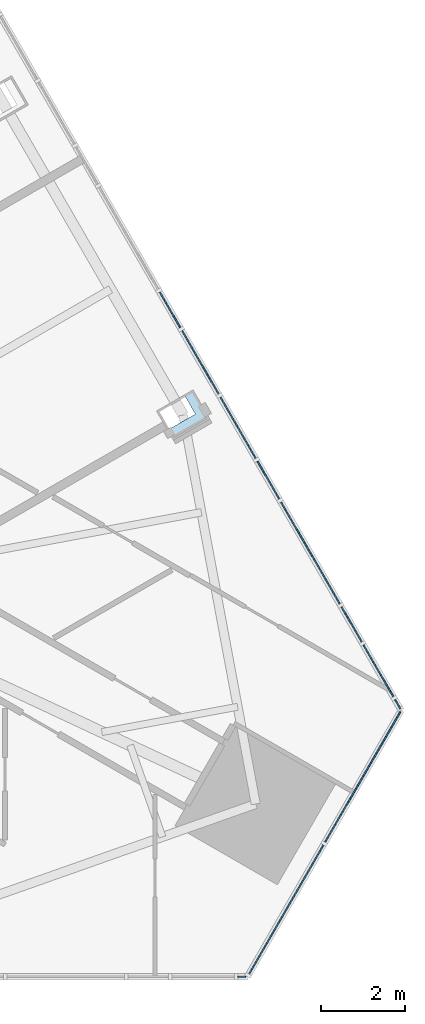
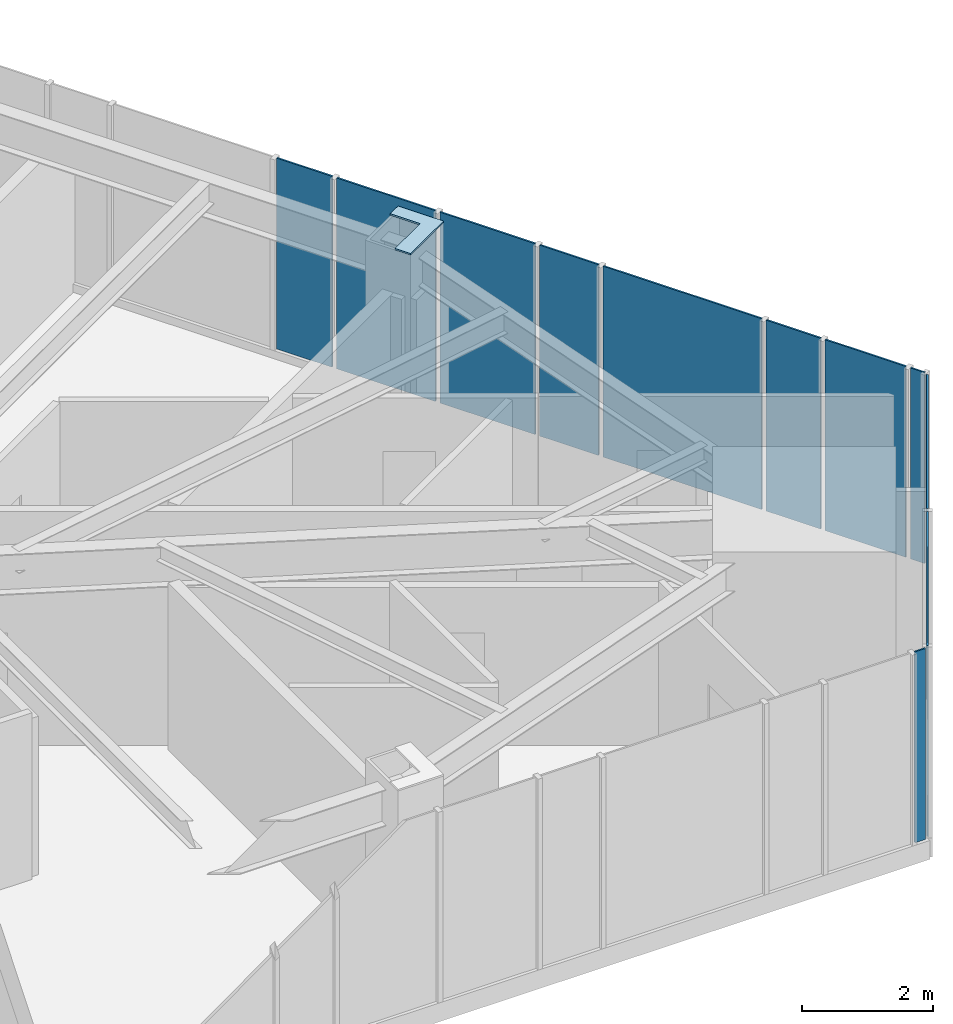
# One storey, part 15 of 24: 12 plates, 3 elements without a shape of their own.
"""IFC4 building model written with IfcOpenShell, lengths in metres."""

from ifc_helpers import new_model, si_unit, direction, frame, origin, place, context, subcontext, project, spatial, polyline, outline, extrude, material, layer, layer_set, type_object, element, aggregate, save


model = new_model("IFC4")

# Units and contexts
model_context = context("Model", 3, precision=1e-05, world=origin(), true_north=direction((0.0, 1.0)))
body_context = subcontext(model_context, "Body", "Model", "MODEL_VIEW")
ifc_project = project(units=[si_unit("LENGTHUNIT", "METRE"), si_unit("AREAUNIT", "SQUARE_METRE"), si_unit("VOLUMEUNIT", "CUBIC_METRE"), si_unit("PLANEANGLEUNIT", "RADIAN"), si_unit("MASSUNIT", "GRAM", prefix="KILO")], contexts=[model_context])

# Site, building, storey
site_placement = place(None, origin())
site = spatial("IfcSite", under=ifc_project, at=site_placement, CompositionType="ELEMENT")
building_placement = place(site_placement, origin())
building = spatial("IfcBuilding", under=site, at=building_placement, Name="Firuza Gate Tower and Library", CompositionType="ELEMENT")
storey_placement = place(building_placement, frame((0.0, 0.0, 206.5)))
storey = spatial("IfcBuildingStorey", under=building, at=storey_placement, Name="L48", CompositionType="ELEMENT", Elevation=206.5)

# Plate
ifc_material_1 = material(Name="Steel S355", Category="steel")
ifc_layer_1 = layer(ifc_material_1, 0.030029296875)
ifc_layer_set_1 = layer_set([ifc_layer_1], Name="Column infill plate 30 Steel S355")
plate_type_1 = type_object("IfcPlateType", Name="Column infill plate 30 Steel S355", PredefinedType="SHEET", material=ifc_layer_set_1)
plate_1_placement = place(storey_placement, frame((0.0, 0.0, 3.89990234375)))
element("IfcPlate", 1, at=plate_1_placement, inside=storey, type_object=plate_type_1, Name="Infill plate L48:E1", PredefinedType="SHEET", context=body_context, shape_type="SweptSolid", body=[
    extrude(outline(polyline([(99.537841796875, 69.782470703125), (99.330810546875, 69.662841796875), (99.5927734375, 69.209228515625), (98.933837890625, 68.828857421875), (99.072021484375, 68.589599609375), (99.93798828125, 69.089599609375), (99.537841796875, 69.782470703125)])), origin(), (0.0, 0.0, 1.0), 0.030029296875),
])

# Curtain wall, plates
ifc_material_2 = material(Name="Aluminium 6063-T6", Category="aluminium")
ifc_layer_2 = layer(ifc_material_2, 0.14990234375)
ifc_layer_set_2 = layer_set([ifc_layer_2], Name="Corner curtain wall, chamfers")
curtain_wall_type_1 = type_object("IfcCurtainWallType", Name="Corner curtain wall, chamfers", PredefinedType="NOTDEFINED", material=ifc_layer_set_2)
placement = place(storey_placement, origin())
curtain_wall_1 = element("IfcCurtainWall", 2, at=placement, inside=storey, type_object=curtain_wall_type_1, Name="CW4 L48 SE corner", PredefinedType="NOTDEFINED")
ifc_material_3 = material(Name="Fritted glass", Category="glass")
ifc_layer_3 = layer(ifc_material_3, 0.030029296875)
ifc_layer_set_3 = layer_set([ifc_layer_3], Name="Fritted glass unit, corners")
plate_type_2 = type_object("IfcPlateType", Name="Fritted glass unit, corners", PredefinedType="CURTAIN_PANEL", material=ifc_layer_set_3)
plate_2_placement = place(storey_placement, frame((100.857421875, 55.910400390625, 0.14990234375), z_axis=(0.866016723041, -0.500015035186, 0.0), x_axis=(0.500015035186, 0.866016723041, 0.0)))
plate_2 = element("IfcPlate", 3, at=plate_2_placement, type_object=plate_type_2, Name="Glass unit", PredefinedType="CURTAIN_PANEL", context=body_context, shape_type="SweptSolid", body=[
    extrude(outline(polyline([(0.0, 0.0), (3.5633694106530625, 0.0), (3.5633694106530625, 3.550048828125), (0.0, 3.550048828125), (0.0, 0.0)])), origin(), (0.0, 0.0, -1.0), 0.030029296875),
])
plate_3_placement = place(storey_placement, frame((102.67919921875, 59.065673828125, 0.14990234375), z_axis=(0.866046390552, -0.49996364809, 0.0), x_axis=(0.49996364809, 0.866046390552, 0.0)))
plate_3 = element("IfcPlate", 4, at=plate_3_placement, type_object=plate_type_2, Name="Glass unit", PredefinedType="CURTAIN_PANEL", context=body_context, shape_type="SweptSolid", body=[
    extrude(outline(polyline([(0.0, 0.0), (3.563247342942594, 0.0), (3.563247342942594, 3.550048828125), (0.0, 3.550048828125), (0.0, 0.0)])), origin(), (0.0, 0.0, -1.0), 0.030029296875),
])
aggregate(curtain_wall_1, [plate_2, plate_3])

ifc_material_4 = material(Name="Aluminium 6063-T6", Category="aluminium")
ifc_layer_4 = layer(ifc_material_4, 0.14990234375)
ifc_layer_set_4 = layer_set([ifc_layer_4], Name="Unitised curtain wall, hotel")
curtain_wall_type_2 = type_object("IfcCurtainWallType", Name="Unitised curtain wall, hotel", PredefinedType="NOTDEFINED", material=ifc_layer_set_4)
curtain_wall_2 = element("IfcCurtainWall", 5, at=placement, inside=storey, type_object=curtain_wall_type_2, Name="CW2 L48 E face", PredefinedType="NOTDEFINED")
ifc_material_5 = material(Name="Fritted glass", Category="glass")
ifc_layer_5 = layer(ifc_material_5, 0.030029296875)
ifc_layer_set_5 = layer_set([ifc_layer_5], Name="Fritted glass unit, hotel")
plate_type_3 = type_object("IfcPlateType", Name="Fritted glass unit, hotel", PredefinedType="CURTAIN_PANEL", material=ifc_layer_set_5)
plate_4_placement = place(storey_placement, frame((104.295166015625, 62.522705078125, 0.14990234375), z_axis=(0.866042287157, 0.499970756, 0.0), x_axis=(-0.499970756, 0.866042287157, 0.0)))
plate_4 = element("IfcPlate", 6, at=plate_4_placement, type_object=plate_type_3, Name="Glass unit", PredefinedType="CURTAIN_PANEL", context=body_context, shape_type="SweptSolid", body=[
    extrude(outline(polyline([(0.0, 0.0), (1.418539998817369, 0.0), (1.418539998817369, 3.550048828125), (0.0, 3.550048828125), (0.0, 0.0)])), origin(), (0.0, 0.0, -1.0), 0.030029296875),
])
plate_5_placement = place(storey_placement, frame((101.035400390625, 68.16845703125, 0.14990234375), z_axis=(0.86607653561, 0.499911426621, 0.0), x_axis=(-0.499911426621, 0.86607653561, 0.0)))
plate_5 = element("IfcPlate", 7, at=plate_5_placement, type_object=plate_type_3, Name="Glass unit", PredefinedType="CURTAIN_PANEL", context=body_context, shape_type="SweptSolid", body=[
    extrude(outline(polyline([(0.0, 0.0), (1.6775432651017221, 0.0), (1.6775432651017221, 3.550048828125), (0.0, 3.550048828125), (0.0, 0.0)])), origin(), (0.0, 0.0, -1.0), 0.030029296875),
])
plate_6_placement = place(storey_placement, frame((100.15673828125, 69.690673828125, 0.14990234375), z_axis=(0.866035653305, 0.499982246889, 0.0), x_axis=(-0.499982246889, 0.866035653305, 0.0)))
plate_6 = element("IfcPlate", 8, at=plate_6_placement, type_object=plate_type_3, Name="Glass unit", PredefinedType="CURTAIN_PANEL", context=body_context, shape_type="SweptSolid", body=[
    extrude(outline(polyline([(0.0, 0.0), (1.7354131804664403, 0.0), (1.7354131804664403, 3.550048828125001), (0.0, 3.550048828125001), (0.0, 0.0)])), origin(), (0.0, 0.0, -1.0), 0.030029296875),
])

# Curtain wall, plate
curtain_wall_3 = element("IfcCurtainWall", 9, at=placement, inside=storey, type_object=curtain_wall_type_2, Name="CW2 L48 S face", PredefinedType="NOTDEFINED")
ifc_material_6 = material(Name="Glazed ceramic tile")
ifc_layer_6 = layer(ifc_material_6, 0.030029296875)
ifc_layer_set_6 = layer_set([ifc_layer_6], Name="Opaque ceramic panel, hotel")
plate_type_4 = type_object("IfcPlateType", Name="Opaque ceramic panel, hotel", PredefinedType="CURTAIN_PANEL", material=ifc_layer_set_6)
plate_7_placement = place(storey_placement, frame((100.598388671875, 55.868408203125, 0.14990234375), z_axis=(0.0, -1.0, 0.0), x_axis=(1.0, 0.0, 0.0)))
plate_7 = element("IfcPlate", 10, at=plate_7_placement, type_object=plate_type_4, Name="Opaque ceramic panel", PredefinedType="CURTAIN_PANEL", context=body_context, shape_type="SweptSolid", body=[
    extrude(outline(polyline([(0.0, 0.0), (0.18603515625, 0.0), (0.18603515625, 3.550048828125), (0.0, 3.550048828125), (0.0, 0.0)])), origin(), (0.0, 0.0, -1.0), 0.030029296875),
])
aggregate(curtain_wall_3, [plate_7])

# Plate
plate_8_placement = place(storey_placement, frame((104.460693359375, 62.23583984375, 0.14990234375), z_axis=(0.866201770413, 0.499694399542, 0.0), x_axis=(-0.499694399542, 0.866201770413, 0.0)))
plate_8 = element("IfcPlate", 11, at=plate_8_placement, type_object=plate_type_4, Name="Opaque ceramic panel", PredefinedType="CURTAIN_PANEL", context=body_context, shape_type="SweptSolid", body=[
    extrude(outline(polyline([(0.0, 0.0), (0.25113005341856437, 0.0), (0.25113005341856437, 3.550048828125), (0.0, 3.550048828125), (0.0, 0.0)])), origin(), (0.0, 0.0, -1.0), 0.030029296875),
])

plate_9_placement = place(storey_placement, frame((103.5458984375, 63.820556640625, 0.14990234375), z_axis=(0.866058487353, 0.499942693199, 0.0), x_axis=(-0.499942693199, 0.866058487353, 0.0)))
plate_9 = element("IfcPlate", 12, at=plate_9_placement, type_object=plate_type_4, Name="Opaque ceramic panel", PredefinedType="CURTAIN_PANEL", context=body_context, shape_type="SweptSolid", body=[
    extrude(outline(polyline([(0.0, 0.0), (0.9595826374724483, 0.0), (0.9595826374724483, 3.550048828125), (0.0, 3.550048828125), (0.0, 0.0)])), origin(), (0.0, 0.0, -1.0), 0.030029296875),
])

plate_10_placement = place(storey_placement, frame((103.026123046875, 64.720703125, 0.14990234375), z_axis=(0.866020890646, 0.500007816904, 0.0), x_axis=(-0.500007816904, 0.866020890646, 0.0)))
plate_10 = element("IfcPlate", 13, at=plate_10_placement, type_object=plate_type_4, Name="Opaque ceramic panel", PredefinedType="CURTAIN_PANEL", context=body_context, shape_type="SweptSolid", body=[
    extrude(outline(polyline([(0.0, 0.0), (2.789507170632926, 0.0), (2.789507170632926, 3.550048828125), (0.0, 3.550048828125), (0.0, 0.0)])), origin(), (0.0, 0.0, -1.0), 0.030029296875),
])

plate_11_placement = place(storey_placement, frame((101.59130859375, 67.205810546875, 0.14990234375), z_axis=(0.866035853028, 0.499981900942, 0.0), x_axis=(-0.499981900942, 0.866035853028, 0.0)))
plate_11 = element("IfcPlate", 14, at=plate_11_placement, type_object=plate_type_4, Name="Opaque ceramic panel", PredefinedType="CURTAIN_PANEL", context=body_context, shape_type="SweptSolid", body=[
    extrude(outline(polyline([(0.0, 0.0), (1.031775629583486, 0.0), (1.031775629583486, 3.550048828125), (0.0, 3.550048828125), (0.0, 0.0)])), origin(), (0.0, 0.0, -1.0), 0.030029296875),
])

plate_12_placement = place(storey_placement, frame((99.2490234375, 71.262939453125, 0.14990234375), z_axis=(0.865997745606, 0.500047902311, 0.0), x_axis=(-0.500047902311, 0.865997745606, 0.0)))
plate_12 = element("IfcPlate", 15, at=plate_12_placement, type_object=plate_type_4, Name="Opaque ceramic panel", PredefinedType="CURTAIN_PANEL", context=body_context, shape_type="SweptSolid", body=[
    extrude(outline(polyline([(0.0, 0.0), (0.974027777387345, 0.0), (0.974027777387345, 3.550048828125), (0.0, 3.550048828125), (0.0, 0.0)])), origin(), (0.0, 0.0, -1.0), 0.030029296875),
])

aggregate(curtain_wall_2, [plate_8, plate_4, plate_9, plate_10, plate_11, plate_5, plate_6, plate_12])

save(model, "model.ifc")
